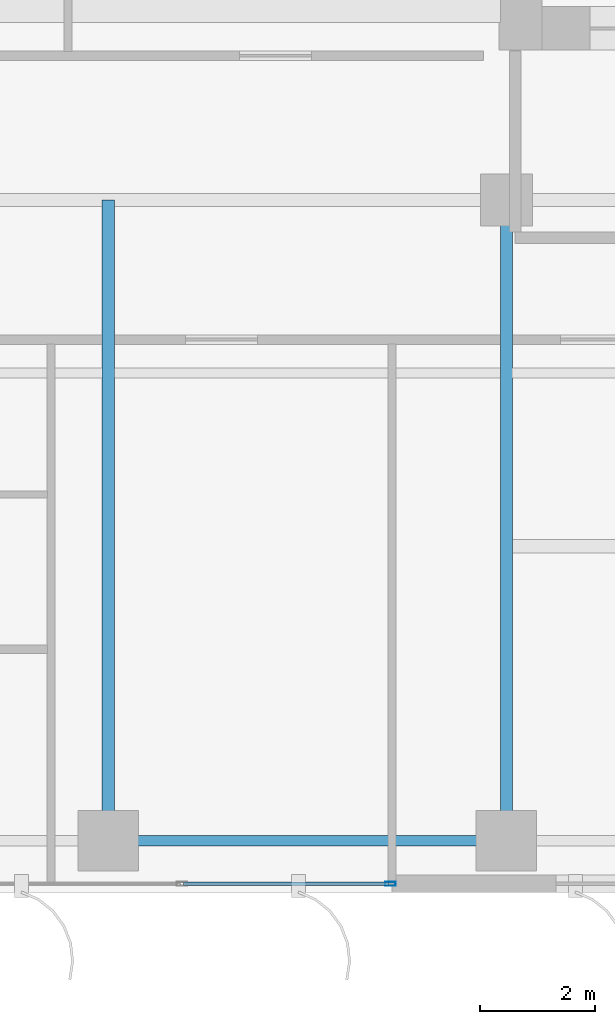
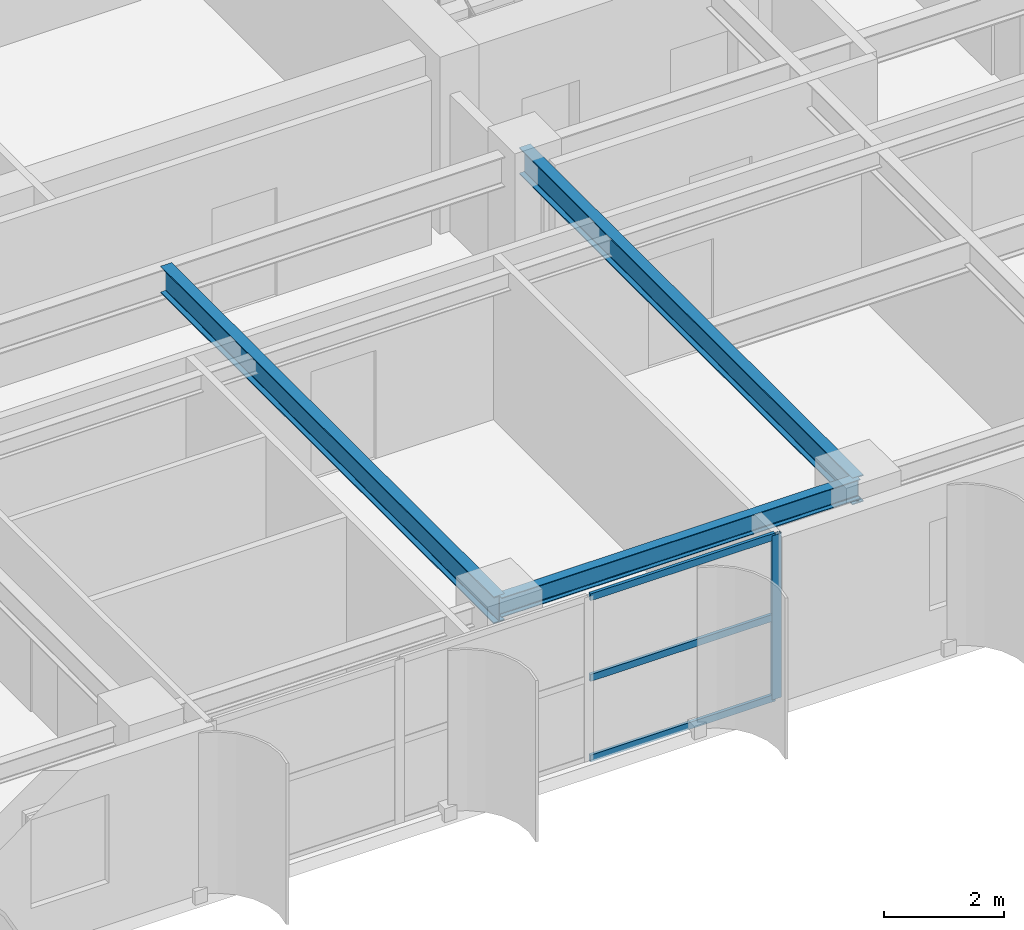
# One storey, part 3 of 21: 4 members, 3 beams, 1 element without a shape of its own.
"""IFC4 building model written with IfcOpenShell, lengths in metres."""

import ifcopenshell
import ifcopenshell.guid

model = None  # the IFC model being written
_history = None  # IfcOwnerHistory: only IFC2X3 demands one
_inside = {}  # id of a spatial element -> (the spatial element, [elements in it])
_under = {}  # id of a project, library or spatial element -> (it, [spatial elements below it])
_declared = {}  # id of a project -> (the project, [libraries it declares])
_typed = {}  # id of a type object -> (the type object, [elements of that type])
_made_of = {}  # id of a material, layer set ... -> (it, [elements and type objects made of it])


def new_model(schema):
    """Start an empty IFC model of exactly this schema.

    Asked for "IFC4X3", IfcOpenShell would pick the latest addendum, in which some entities
    have other attributes; the version numbers below select the first issue.
    IFC2X3 requires an IfcOwnerHistory on every rooted entity: one is made here for all.
    """
    global model, _history
    if schema == "IFC4X3":
        model = ifcopenshell.file(schema_version=(4, 3, 0, 0))
    else:
        model = ifcopenshell.file(schema=schema)
    _inside.clear()
    _under.clear()
    _declared.clear()
    _typed.clear()
    _made_of.clear()
    _history = None
    if model.schema == "IFC2X3":
        org = make("IfcOrganization", Name="unknown")
        user = make(
            "IfcPersonAndOrganization",
            ThePerson=make("IfcPerson", FamilyName="unknown"),
            TheOrganization=org,
        )
        app = make(
            "IfcApplication",
            ApplicationDeveloper=org,
            Version="unknown",
            ApplicationFullName="unknown",
            ApplicationIdentifier="unknown",
        )
        _history = make(
            "IfcOwnerHistory",
            OwningUser=user,
            OwningApplication=app,
            ChangeAction="ADDED",
            CreationDate=0,
        )
    return model


def make(cls, **values):
    """One entity of the class cls with the attributes given. An attribute that is None is left unset."""
    return model.create_entity(
        cls, **{name: value for name, value in values.items() if value is not None}
    )


def rooted(cls, **values):
    """An entity with a GlobalId (a new one), such as an element, a storey or a relation."""
    return make(cls, GlobalId=ifcopenshell.guid.new(), OwnerHistory=_history, **values)


def si_unit(unit_type, name, prefix=None):
    """IfcSIUnit, for example si_unit("LENGTHUNIT", "METRE", prefix="MILLI")."""
    return make("IfcSIUnit", UnitType=unit_type, Prefix=prefix, Name=name)


def assignment(units):
    """IfcUnitAssignment: the units of a project."""
    return None if units is None else make("IfcUnitAssignment", Units=units)


def point(xyz):
    """IfcCartesianPoint."""
    return None if xyz is None else make("IfcCartesianPoint", Coordinates=xyz)


def direction(xyz):
    """IfcDirection."""
    return None if xyz is None else make("IfcDirection", DirectionRatios=xyz)


def frame(location, z_axis=None, x_axis=None):
    """IfcAxis2Placement3D, a coordinate frame: its origin and axes. An axis left out is left unset."""
    return make(
        "IfcAxis2Placement3D",
        Location=point(location),
        Axis=direction(z_axis),
        RefDirection=direction(x_axis),
    )


def frame_2d(location, x_axis=None):
    """IfcAxis2Placement2D, a coordinate frame in the plane: its origin and x axis."""
    return make(
        "IfcAxis2Placement2D", Location=point(location), RefDirection=direction(x_axis)
    )


def origin():
    """The frame at (0, 0, 0) with its axes left unset."""
    return frame((0.0, 0.0, 0.0))


def origin_2d():
    """The frame at (0, 0) in the plane with its x axis left unset."""
    return frame_2d((0.0, 0.0))


def place(relative_to, where):
    """IfcLocalPlacement: puts the frame where relative to a parent placement (None: the world)."""
    return make(
        "IfcLocalPlacement", PlacementRelTo=relative_to, RelativePlacement=where
    )


def context(
    kind, dimensions, precision=None, world=None, true_north=None, identifier=None
):
    """IfcGeometricRepresentationContext, for example the 3D "Model" context."""
    return make(
        "IfcGeometricRepresentationContext",
        ContextIdentifier=identifier,
        ContextType=kind,
        CoordinateSpaceDimension=dimensions,
        Precision=precision,
        WorldCoordinateSystem=world,
        TrueNorth=true_north,
    )


def subcontext(parent, identifier, kind, view, scale=None):
    """IfcGeometricRepresentationSubContext, for example "Body" below "Model"."""
    return make(
        "IfcGeometricRepresentationSubContext",
        ContextIdentifier=identifier,
        ContextType=kind,
        ParentContext=parent,
        TargetScale=scale,
        TargetView=view,
    )


def project(units=None, contexts=None):
    """IfcProject with its units and contexts."""
    return rooted(
        "IfcProject",
        Name="project",
        RepresentationContexts=contexts,
        UnitsInContext=assignment(units),
    )


def spatial(cls, under=None, at=None, **own):
    """A site, building, storey or space (cls), placed at a placement, below another one or the project."""
    s = rooted(cls, ObjectPlacement=at, **own)
    if under is not None:
        _under.setdefault(under.id(), (under, []))[1].append(s)
    return s


def profile(cls, at=None, kind="AREA", **sizes):
    """A parametric profile (cls). Its sizes go by their IFC names, for example OverallWidth=200.0."""
    return make(cls, ProfileType=kind, Position=at, **sizes)


def hollow_rectangle(**sizes):
    """IfcRectangleHollowProfileDef."""
    return profile("IfcRectangleHollowProfileDef", **sizes)


def i_section(**sizes):
    """IfcIShapeProfileDef."""
    return profile("IfcIShapeProfileDef", **sizes)


def extrude(swept, where, along, depth):
    """IfcExtrudedAreaSolid: the profile swept, set in the frame where, extruded along a direction by depth."""
    return make(
        "IfcExtrudedAreaSolid",
        SweptArea=swept,
        Position=where,
        ExtrudedDirection=direction(along),
        Depth=depth,
    )


def shape(context_of_items, identifier, shape_type, items):
    """IfcShapeRepresentation: the items that make up one representation, for example the "Body"."""
    return make(
        "IfcShapeRepresentation",
        ContextOfItems=context_of_items,
        RepresentationIdentifier=identifier,
        RepresentationType=shape_type,
        Items=items,
    )


def source(mapping_origin, context_of_items, identifier, shape_type, items):
    """IfcRepresentationMap: a shape defined once, which mapped items show again and again."""
    return make(
        "IfcRepresentationMap",
        MappingOrigin=mapping_origin,
        MappedRepresentation=shape(context_of_items, identifier, shape_type, items),
    )


def transform(
    local_origin,
    x_axis=None,
    y_axis=None,
    z_axis=None,
    scale=None,
    scale2=None,
    scale3=None,
    uniform=True,
):
    """IfcCartesianTransformationOperator3D, or its non-uniform kind. x_axis, y_axis, z_axis: its Axis1, 2, 3."""
    if uniform:
        return make(
            "IfcCartesianTransformationOperator3D",
            Axis1=direction(x_axis),
            Axis2=direction(y_axis),
            LocalOrigin=point(local_origin),
            Scale=scale,
            Axis3=direction(z_axis),
        )
    return make(
        "IfcCartesianTransformationOperator3DnonUniform",
        Axis1=direction(x_axis),
        Axis2=direction(y_axis),
        LocalOrigin=point(local_origin),
        Scale=scale,
        Axis3=direction(z_axis),
        Scale2=scale2,
        Scale3=scale3,
    )


def mapped(mapping_source, mapping_target):
    """IfcMappedItem: shows the shape of a source again, moved by a transform."""
    return make(
        "IfcMappedItem", MappingSource=mapping_source, MappingTarget=mapping_target
    )


def material(Name=None, Category=None):
    """IfcMaterial."""
    return make("IfcMaterial", Name=Name, Category=Category)


def layer(
    of_material, thickness, ventilated=None, Name=None, Category=None, Priority=None
):
    """IfcMaterialLayer: one layer of a wall or slab, of a material (None: an air gap)."""
    return make(
        "IfcMaterialLayer",
        Material=of_material,
        LayerThickness=thickness,
        IsVentilated=ventilated,
        Name=Name,
        Category=Category,
        Priority=Priority,
    )


def layer_set(layers, Name=None):
    """IfcMaterialLayerSet."""
    return make("IfcMaterialLayerSet", MaterialLayers=layers, LayerSetName=Name)


def material_profile(
    of_material, cross_section, Name=None, Category=None, Priority=None
):
    """IfcMaterialProfile: a cross section and its material."""
    return make(
        "IfcMaterialProfile",
        Name=Name,
        Material=of_material,
        Profile=cross_section,
        Priority=Priority,
        Category=Category,
    )


def profile_set(profiles, Name=None, composite=None):
    """IfcMaterialProfileSet."""
    return make(
        "IfcMaterialProfileSet",
        Name=Name,
        MaterialProfiles=profiles,
        CompositeProfile=composite,
    )


def made_of(thing, what):
    """Note that an element or type object is made of a material, layer set ...; save() writes the relation."""
    if what is not None:
        _made_of.setdefault(what.id(), (what, []))[1].append(thing)
    return thing


def type_object(cls, material=None, **own):
    """A type object (cls), such as IfcWallType, which elements share."""
    return made_of(rooted(cls, **own), material)


def element(
    cls,
    number,
    at=None,
    inside=None,
    cuts=None,
    type_object=None,
    material=None,
    context=None,
    identifier="Body",
    shape_type=None,
    held_by="IfcProductDefinitionShape",
    body=None,
    shapes=None,
    **own,
):
    """One element of the class cls, such as IfcWall. Its Tag is "e" and its number.

    at: its placement. inside: the storey or other place that contains it. cuts: it is an
    opening in that element (IfcRelVoidsElement). A single representation is given by context,
    identifier, shape_type and body (its items); several are given by shapes. held_by: the class
    of the entity that holds the representations. save() writes the other relations.
    """
    e = rooted(cls, Tag="e%d" % number, ObjectPlacement=at, **own)
    if body is not None:
        shapes = [shape(context, identifier, shape_type, body)]
    if shapes is not None:
        e.Representation = make(held_by, Representations=shapes)
    if inside is not None:
        _inside.setdefault(inside.id(), (inside, []))[1].append(e)
    if cuts is not None:
        rooted(
            "IfcRelVoidsElement", RelatingBuildingElement=cuts, RelatedOpeningElement=e
        )
    if type_object is not None:
        _typed.setdefault(type_object.id(), (type_object, []))[1].append(e)
    return made_of(e, material)


def aggregate(whole, parts):
    """IfcRelAggregates: a whole, such as a stair, and the parts it consists of."""
    return rooted("IfcRelAggregates", RelatingObject=whole, RelatedObjects=parts)


def save(model, path):
    """Write the relations noted so far, then the file.

    IfcRelAggregates (storeys below a building ...), IfcRelContainedInSpatialStructure (elements
    in a storey), IfcRelDefinesByType, IfcRelAssociatesMaterial and IfcRelDeclares: one each for
    every whole, place, type object, material and project.
    """
    for whole, parts in _under.values():
        aggregate(whole, parts)
    for where, things in _inside.values():
        rooted(
            "IfcRelContainedInSpatialStructure",
            RelatedElements=things,
            RelatingStructure=where,
        )
    for kind, things in _typed.values():
        rooted("IfcRelDefinesByType", RelatedObjects=things, RelatingType=kind)
    for what, things in _made_of.values():
        rooted("IfcRelAssociatesMaterial", RelatedObjects=things, RelatingMaterial=what)
    for by, libraries in _declared.values():
        rooted("IfcRelDeclares", RelatingContext=by, RelatedDefinitions=libraries)
    model.write(path)


model = new_model("IFC4")

# Units and contexts
model_context = context("Model", 3, precision=1e-05, world=origin(), true_north=direction((0.0, 1.0)))
body_context = subcontext(model_context, "Body", "Model", "MODEL_VIEW")
ifc_project = project(units=[si_unit("LENGTHUNIT", "METRE"), si_unit("AREAUNIT", "SQUARE_METRE"), si_unit("VOLUMEUNIT", "CUBIC_METRE"), si_unit("PLANEANGLEUNIT", "RADIAN"), si_unit("MASSUNIT", "GRAM", prefix="KILO")], contexts=[model_context])

# Site, building, storey
site_placement = place(None, origin())
site = spatial("IfcSite", under=ifc_project, at=site_placement, CompositionType="ELEMENT")
building_placement = place(site_placement, origin())
building = spatial("IfcBuilding", under=site, at=building_placement, Name="Khoralis Quay Care Tower", CompositionType="ELEMENT")
storey_placement = place(building_placement, frame((0.0, 0.0, 112.5)))
storey = spatial("IfcBuildingStorey", under=building, at=storey_placement, Name="L29", CompositionType="ELEMENT", Elevation=112.5)

# Beams
ifc_material_1 = material(Name="Steel S355", Category="steel")
ifc_material_profile_1 = material_profile(ifc_material_1, i_section(OverallWidth=0.179931640625, OverallDepth=0.39990234375, WebThickness=0.008544921875, FlangeThickness=0.013427734375, FilletRadius=0.02099609375, at=origin_2d()), Name="Steel S355")
ifc_profile_set_1 = profile_set([ifc_material_profile_1], Name="Steel S355")
beam_type_1 = type_object("IfcBeamType", Name="BM-IPE400", PredefinedType="SPANDREL", material=ifc_profile_set_1)
shared_shape_1 = source(origin(), body_context, "Body", "SweptSolid", [
    extrude(i_section(OverallWidth=0.179931640625, OverallDepth=0.39990234375, WebThickness=0.008544921875, FlangeThickness=0.013427734375, FilletRadius=0.02099609375, at=origin_2d()), origin(), (0.0, 0.0, 1.0), 6.89990234375),
])
beam_placement = place(storey_placement, frame((24.0, 0.89990234375, 3.139892578125), z_axis=(1.0, 0.0, 0.0), x_axis=(0.0, 1.0, 0.0)))
element("IfcBeam", 1, at=beam_placement, inside=storey, type_object=beam_type_1, Name="BM-TSP-L29-04", PredefinedType="SPANDREL", context=body_context, shape_type="MappedRepresentation", body=[
    mapped(shared_shape_1, transform((0.0, 0.0, 0.0), scale=1.0)),
])
ifc_material_profile_2 = material_profile(ifc_material_1, i_section(OverallWidth=0.2119140625, OverallDepth=0.5439453125, WebThickness=0.01318359375, FlangeThickness=0.021240234375, FilletRadius=0.01611328125, at=origin_2d()), Name="Steel S355")
ifc_profile_set_2 = profile_set([ifc_material_profile_2], Name="Steel S355")
beam_type_2 = type_object("IfcBeamType", Name="BM-W530X123", PredefinedType="BEAM", material=ifc_profile_set_2)
shared_shape_2 = source(origin(), body_context, "Body", "SweptSolid", [
    extrude(i_section(OverallWidth=0.2119140625, OverallDepth=0.5439453125, WebThickness=0.01318359375, FlangeThickness=0.021240234375, FilletRadius=0.01611328125, at=origin_2d()), origin(), (0.0, 0.0, 1.0), 11.10009765625),
])
for number, where, z_axis, x_axis, name in (
    (2, (24.0, 0.89990234375, 3.068115234375), (0.0, 1.0, 0.0), (-1.0, 0.0, 0.0), "BM-TGYS-L29-240"),
    (3, (30.89990234375, 0.89990234375, 3.068115234375), (0.0, 1.0, 0.0), (-1.0, 0.0, 0.0), "BM-TGYS-L29-309"),
):
    element("IfcBeam", number, at=place(storey_placement, frame(where, z_axis=z_axis, x_axis=x_axis)), inside=storey, type_object=beam_type_2, Name=name, PredefinedType="BEAM", context=body_context, shape_type="MappedRepresentation", body=[
        mapped(shared_shape_2, transform((0.0, 0.0, 0.0), scale=1.0)),
    ])

# Curtain wall, members
ifc_material_2 = material(Name="Pale anodised aluminium", Category="aluminium")
ifc_layer = layer(ifc_material_2, 0.169921875)
ifc_layer_set = layer_set([ifc_layer], Name="Pale anodised aluminium")
curtain_wall_type = type_object("IfcCurtainWallType", Name="CW-SYS-Z2", PredefinedType="NOTDEFINED", material=ifc_layer_set)
curtain_wall_placement = place(storey_placement, origin())
curtain_wall = element("IfcCurtainWall", 4, at=curtain_wall_placement, inside=storey, type_object=curtain_wall_type, Name="L29 Unitised Curtain Wall CW-L29-P1-E0", PredefinedType="NOTDEFINED")
ifc_material_profile_3 = material_profile(ifc_material_2, hollow_rectangle(XDim=0.06494140625, YDim=0.179931640625, WallThickness=0.00390625, at=origin_2d()), Name="Pale anodised aluminium")
ifc_profile_set_3 = profile_set([ifc_material_profile_3], Name="Pale anodised aluminium")
member_type_1 = type_object("IfcMemberType", Name="CW-MUL-180", PredefinedType="MULLION", material=ifc_profile_set_3)
shared_shape_3 = source(origin(), body_context, "Body", "SweptSolid", [
    extrude(hollow_rectangle(XDim=0.06494140625, YDim=0.179931640625, WallThickness=0.00390625, at=origin_2d()), origin(), (0.0, 0.0, 1.0), 3.340087890625),
])
member_1_placement = place(storey_placement, frame((28.889892578125, 0.14990234375, 0.0), z_axis=(0.0, 0.0, 1.0), x_axis=(0.0, 1.0, 0.0)))
member_1 = element("IfcMember", 5, at=member_1_placement, type_object=member_type_1, Name="CW2 mullion 4", PredefinedType="MULLION", context=body_context, shape_type="MappedRepresentation", body=[
    mapped(shared_shape_3, transform((0.0, 0.0, 0.0), scale=1.0)),
])
ifc_material_profile_4 = material_profile(ifc_material_2, hollow_rectangle(XDim=0.06005859375, YDim=0.139892578125, WallThickness=0.00390625, at=origin_2d()), Name="Pale anodised aluminium")
ifc_profile_set_4 = profile_set([ifc_material_profile_4], Name="Pale anodised aluminium")
member_type_2 = type_object("IfcMemberType", Name="CW-TRN-140", PredefinedType="USERDEFINED", material=ifc_profile_set_4)
shared_shape_4 = source(origin(), body_context, "Body", "SweptSolid", [
    extrude(hollow_rectangle(XDim=0.06005859375, YDim=0.139892578125, WallThickness=0.00390625, at=origin_2d()), origin(), (0.0, 0.0, 1.0), 3.5537109375),
])
member_2_placement = place(storey_placement, frame((25.306396484375, 0.14990234375, 0.030029296875), z_axis=(1.0, 0.0, 0.0), x_axis=(0.0, 1.0, 0.0)))
member_2 = element("IfcMember", 6, at=member_2_placement, type_object=member_type_2, Name="CW2 transom 3.1", ObjectType="TRANSOM", PredefinedType="USERDEFINED", context=body_context, shape_type="MappedRepresentation", body=[
    mapped(shared_shape_4, transform((0.0, 0.0, 0.0), scale=1.0)),
])
member_3_placement = place(storey_placement, frame((25.306396484375, 0.14990234375, 1.669921875), z_axis=(1.0, 0.0, 0.0), x_axis=(0.0, 1.0, 0.0)))
member_3 = element("IfcMember", 7, at=member_3_placement, type_object=member_type_2, Name="CW2 transom 3.2", ObjectType="TRANSOM", PredefinedType="USERDEFINED", context=body_context, shape_type="MappedRepresentation", body=[
    mapped(shared_shape_4, transform((0.0, 0.0, 0.0), scale=1.0)),
])
member_4_placement = place(storey_placement, frame((25.306396484375, 0.14990234375, 3.31005859375), z_axis=(1.0, 0.0, 0.0), x_axis=(0.0, 1.0, 0.0)))
member_4 = element("IfcMember", 8, at=member_4_placement, type_object=member_type_2, Name="CW2 transom 3.3", ObjectType="TRANSOM", PredefinedType="USERDEFINED", context=body_context, shape_type="MappedRepresentation", body=[
    mapped(shared_shape_4, transform((0.0, 0.0, 0.0), scale=1.0)),
])
aggregate(curtain_wall, [member_1, member_2, member_3, member_4])

save(model, "model.ifc")
